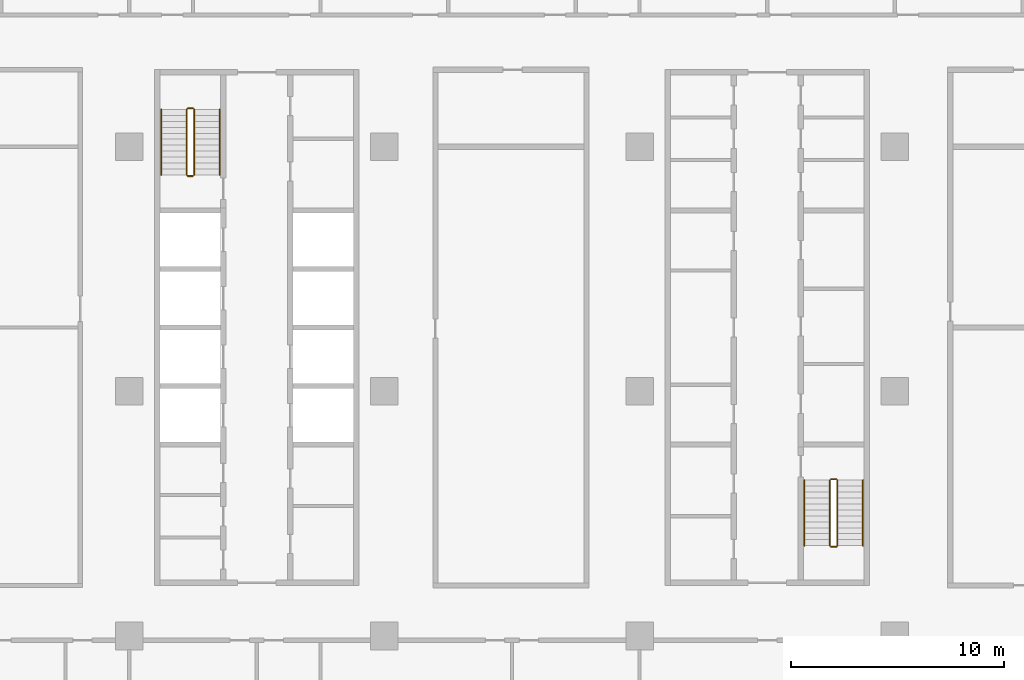
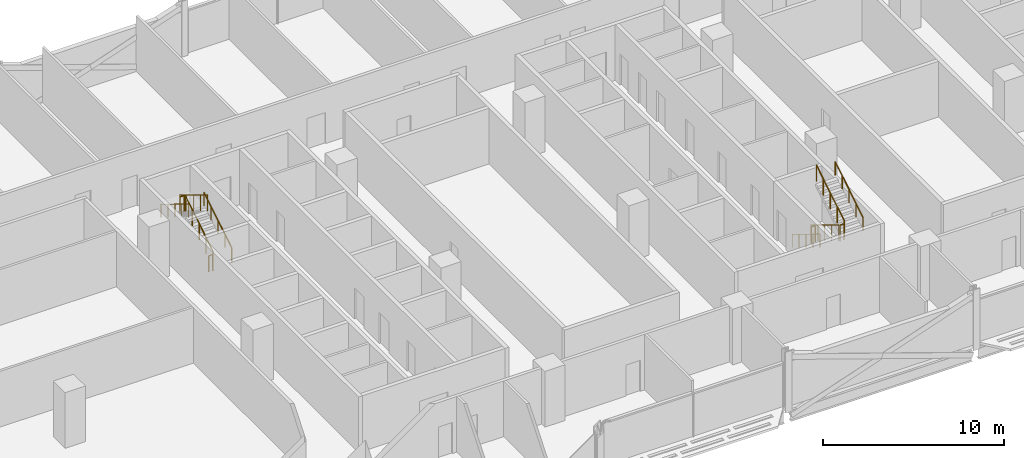
# One storey, part 26 of 29: 12 railings.
"""IFC4 building model written with IfcOpenShell, lengths in metres."""

from ifc_helpers import new_model, si_unit, direction, frame, origin, origin_2d, place, context, subcontext, project, spatial, circle, extrude, material, type_object, element, save


model = new_model("IFC4")

# Units and contexts
model_context = context("Model", 3, precision=1e-05, world=origin(), true_north=direction((0.0, 1.0)))
body_context = subcontext(model_context, "Body", "Model", "MODEL_VIEW")
ifc_project = project(units=[si_unit("LENGTHUNIT", "METRE"), si_unit("AREAUNIT", "SQUARE_METRE"), si_unit("VOLUMEUNIT", "CUBIC_METRE"), si_unit("PLANEANGLEUNIT", "RADIAN"), si_unit("MASSUNIT", "GRAM", prefix="KILO")], contexts=[model_context])

# Site, building, storey
site_placement = place(None, origin())
site = spatial("IfcSite", under=ifc_project, at=site_placement, CompositionType="ELEMENT")
building_placement = place(site_placement, origin())
building = spatial("IfcBuilding", under=site, at=building_placement, Name="Mahtab Terrace Research Tower", CompositionType="ELEMENT")
storey_placement = place(building_placement, frame((0.0, 0.0, 142.5)))
storey = spatial("IfcBuildingStorey", under=building, at=storey_placement, Name="L33", CompositionType="ELEMENT", Elevation=142.5)

# Railings
ifc_material = material(Name="Stainless steel AISI 304", Category="steel")
railing_type_1 = type_object("IfcRailingType", Name="Stair guard 1100", PredefinedType="GUARDRAIL", material=ifc_material)
railing_1_placement = place(storey_placement, frame((-26.949951171875, 10.175048828125, 0.1708984375)))
element("IfcRailing", 1, at=railing_1_placement, inside=storey, type_object=railing_type_1, Name="L33 ST1 stair guard 1", PredefinedType="GUARDRAIL", context=body_context, shape_type="SweptSolid", body=[
    extrude(circle(Radius=0.02392578125, at=origin_2d()), frame((0.0, 0.0, 1.076171875), z_axis=(0.0, 0.853647949592, 0.520850437417), x_axis=(-1.0, 0.0, 0.0)), (0.0, 0.0, 1.0), 3.60791015625),
    extrude(circle(Radius=0.02099609375, at=origin_2d()), origin(), (0.0, 0.0, 1.0), 1.052001953125),
    extrude(circle(Radius=0.02099609375, at=origin_2d()), frame((0.0, 0.77001953125, 0.4697265625)), (0.0, 0.0, 1.0), 1.052001953125),
    extrude(circle(Radius=0.02099609375, at=origin_2d()), frame((0.0, 1.5400390625, 0.939453125)), (0.0, 0.0, 1.0), 1.052001953125),
    extrude(circle(Radius=0.02099609375, at=origin_2d()), frame((0.0, 2.309814453125, 1.409423828125)), (0.0, 0.0, 1.0), 1.052001953125),
    extrude(circle(Radius=0.02099609375, at=origin_2d()), frame((0.0, 3.079833984375, 1.879150390625)), (0.0, 0.0, 1.0), 1.052001953125),
])
railing_2_placement = place(storey_placement, frame((-27.0, 13.304931640625, 2.050048828125)))
element("IfcRailing", 2, at=railing_2_placement, inside=storey, type_object=railing_type_1, Name="L33 ST1 stair guard 2", PredefinedType="GUARDRAIL", context=body_context, shape_type="SweptSolid", body=[
    extrude(circle(Radius=0.02392578125, at=origin_2d()), frame((0.0, 0.0, 1.076171875), z_axis=(-1.0, 0.0, 0.0), x_axis=(0.0, -1.0, 0.0)), (0.0, 0.0, 1.0), 0.25),
    extrude(circle(Radius=0.02099609375, at=origin_2d()), origin(), (0.0, 0.0, 1.0), 1.052001953125),
    extrude(circle(Radius=0.02099609375, at=origin_2d()), frame((-0.25, 0.0, 0.0)), (0.0, 0.0, 1.0), 1.052001953125),
])
railing_3_placement = place(storey_placement, frame((-27.300048828125, 13.2548828125, 2.220947265625)))
element("IfcRailing", 3, at=railing_3_placement, inside=storey, type_object=railing_type_1, Name="L33 ST1 stair guard 3", PredefinedType="GUARDRAIL", context=body_context, shape_type="SweptSolid", body=[
    extrude(circle(Radius=0.02392578125, at=origin_2d()), frame((0.0, 0.0, 1.076171875), z_axis=(0.0, -0.853647949592, 0.520850437417), x_axis=(1.0, 0.0, 0.0)), (0.0, 0.0, 1.0), 3.60791015625),
    extrude(circle(Radius=0.02099609375, at=origin_2d()), origin(), (0.0, 0.0, 1.0), 1.052001953125),
    extrude(circle(Radius=0.02099609375, at=origin_2d()), frame((0.0, -0.77001953125, 0.4697265625)), (0.0, 0.0, 1.0), 1.052001953125),
    extrude(circle(Radius=0.02099609375, at=origin_2d()), frame((0.0, -1.5400390625, 0.939453125)), (0.0, 0.0, 1.0), 1.052001953125),
    extrude(circle(Radius=0.02099609375, at=origin_2d()), frame((0.0, -2.309814453125, 1.409423828125)), (0.0, 0.0, 1.0), 1.052001953125),
    extrude(circle(Radius=0.02099609375, at=origin_2d()), frame((0.0, -3.079833984375, 1.879150390625)), (0.0, 0.0, 1.0), 1.052001953125),
])
railing_4_placement = place(storey_placement, frame((-27.0, 10.125, 0.0)))
element("IfcRailing", 4, at=railing_4_placement, inside=storey, type_object=railing_type_1, Name="L33 ST1 stair guard 4", PredefinedType="GUARDRAIL", context=body_context, shape_type="SweptSolid", body=[
    extrude(circle(Radius=0.02392578125, at=origin_2d()), frame((0.0, 0.0, 1.076171875), z_axis=(-1.0, 0.0, 0.0), x_axis=(0.0, -1.0, 0.0)), (0.0, 0.0, 1.0), 0.25),
    extrude(circle(Radius=0.02099609375, at=origin_2d()), origin(), (0.0, 0.0, 1.0), 1.052001953125),
    extrude(circle(Radius=0.02099609375, at=origin_2d()), frame((-0.25, 0.0, 0.0)), (0.0, 0.0, 1.0), 1.052001953125),
])
railing_5_placement = place(storey_placement, frame((2.949951171875, -4.175048828125, 0.1708984375)))
element("IfcRailing", 5, at=railing_5_placement, inside=storey, type_object=railing_type_1, Name="L33 ST2 stair guard 1", PredefinedType="GUARDRAIL", context=body_context, shape_type="SweptSolid", body=[
    extrude(circle(Radius=0.02392578125, at=origin_2d()), frame((0.0, 0.0, 1.076171875), z_axis=(0.0, -0.853647949592, 0.520850437417), x_axis=(1.0, 0.0, 0.0)), (0.0, 0.0, 1.0), 3.60791015625),
    extrude(circle(Radius=0.02099609375, at=origin_2d()), origin(), (0.0, 0.0, 1.0), 1.052001953125),
    extrude(circle(Radius=0.02099609375, at=origin_2d()), frame((0.0, -0.77001953125, 0.4697265625)), (0.0, 0.0, 1.0), 1.052001953125),
    extrude(circle(Radius=0.02099609375, at=origin_2d()), frame((0.0, -1.5400390625, 0.939453125)), (0.0, 0.0, 1.0), 1.052001953125),
    extrude(circle(Radius=0.02099609375, at=origin_2d()), frame((0.0, -2.309814453125, 1.409423828125)), (0.0, 0.0, 1.0), 1.052001953125),
    extrude(circle(Radius=0.02099609375, at=origin_2d()), frame((0.0, -3.079833984375, 1.879150390625)), (0.0, 0.0, 1.0), 1.052001953125),
])
railing_6_placement = place(storey_placement, frame((3.0, -7.304931640625, 2.050048828125)))
element("IfcRailing", 6, at=railing_6_placement, inside=storey, type_object=railing_type_1, Name="L33 ST2 stair guard 2", PredefinedType="GUARDRAIL", context=body_context, shape_type="SweptSolid", body=[
    extrude(circle(Radius=0.02392578125, at=origin_2d()), frame((0.0, 0.0, 1.076171875), z_axis=(1.0, 0.0, 0.0), x_axis=(0.0, 1.0, 0.0)), (0.0, 0.0, 1.0), 0.25),
    extrude(circle(Radius=0.02099609375, at=origin_2d()), origin(), (0.0, 0.0, 1.0), 1.052001953125),
    extrude(circle(Radius=0.02099609375, at=origin_2d()), frame((0.25, 0.0, 0.0)), (0.0, 0.0, 1.0), 1.052001953125),
])
railing_7_placement = place(storey_placement, frame((3.300048828125, -7.2548828125, 2.220947265625)))
element("IfcRailing", 7, at=railing_7_placement, inside=storey, type_object=railing_type_1, Name="L33 ST2 stair guard 3", PredefinedType="GUARDRAIL", context=body_context, shape_type="SweptSolid", body=[
    extrude(circle(Radius=0.02392578125, at=origin_2d()), frame((0.0, 0.0, 1.076171875), z_axis=(0.0, 0.853647949592, 0.520850437417), x_axis=(-1.0, 0.0, 0.0)), (0.0, 0.0, 1.0), 3.60791015625),
    extrude(circle(Radius=0.02099609375, at=origin_2d()), origin(), (0.0, 0.0, 1.0), 1.052001953125),
    extrude(circle(Radius=0.02099609375, at=origin_2d()), frame((0.0, 0.77001953125, 0.4697265625)), (0.0, 0.0, 1.0), 1.052001953125),
    extrude(circle(Radius=0.02099609375, at=origin_2d()), frame((0.0, 1.5400390625, 0.939453125)), (0.0, 0.0, 1.0), 1.052001953125),
    extrude(circle(Radius=0.02099609375, at=origin_2d()), frame((0.0, 2.309814453125, 1.409423828125)), (0.0, 0.0, 1.0), 1.052001953125),
    extrude(circle(Radius=0.02099609375, at=origin_2d()), frame((0.0, 3.079833984375, 1.879150390625)), (0.0, 0.0, 1.0), 1.052001953125),
])
railing_8_placement = place(storey_placement, frame((3.0, -4.125, 0.0)))
element("IfcRailing", 8, at=railing_8_placement, inside=storey, type_object=railing_type_1, Name="L33 ST2 stair guard 4", PredefinedType="GUARDRAIL", context=body_context, shape_type="SweptSolid", body=[
    extrude(circle(Radius=0.02392578125, at=origin_2d()), frame((0.0, 0.0, 1.076171875), z_axis=(1.0, 0.0, 0.0), x_axis=(0.0, 1.0, 0.0)), (0.0, 0.0, 1.0), 0.25),
    extrude(circle(Radius=0.02099609375, at=origin_2d()), origin(), (0.0, 0.0, 1.0), 1.052001953125),
    extrude(circle(Radius=0.02099609375, at=origin_2d()), frame((0.25, 0.0, 0.0)), (0.0, 0.0, 1.0), 1.052001953125),
])
railing_type_2 = type_object("IfcRailingType", Name="Stair handrail 900", PredefinedType="HANDRAIL", material=ifc_material)
railing_9_placement = place(storey_placement, frame((-25.75, 10.175048828125, 0.1708984375)))
element("IfcRailing", 9, at=railing_9_placement, inside=storey, type_object=railing_type_2, Name="L33 ST1 stair handrail 1", PredefinedType="HANDRAIL", context=body_context, shape_type="SweptSolid", body=[
    extrude(circle(Radius=0.02392578125, at=origin_2d()), frame((0.0, 0.0, 0.8759765625), z_axis=(0.0, 0.853647949592, 0.520850437417), x_axis=(-1.0, 0.0, 0.0)), (0.0, 0.0, 1.0), 3.60791015625),
    extrude(circle(Radius=0.02099609375, at=origin_2d()), origin(), (0.0, 0.0, 1.0), 0.851806640625),
    extrude(circle(Radius=0.02099609375, at=origin_2d()), frame((0.0, 0.77001953125, 0.4697265625)), (0.0, 0.0, 1.0), 0.851806640625),
    extrude(circle(Radius=0.02099609375, at=origin_2d()), frame((0.0, 1.5400390625, 0.939453125)), (0.0, 0.0, 1.0), 0.851806640625),
    extrude(circle(Radius=0.02099609375, at=origin_2d()), frame((0.0, 2.309814453125, 1.409423828125)), (0.0, 0.0, 1.0), 0.851806640625),
    extrude(circle(Radius=0.02099609375, at=origin_2d()), frame((0.0, 3.079833984375, 1.879150390625)), (0.0, 0.0, 1.0), 0.851806640625),
])
for number, where, name in (
    (10, (-28.5, 13.2548828125, 2.220947265625), "L33 ST1 stair handrail 2"),
    (11, (1.75, -4.175048828125, 0.1708984375), "L33 ST2 stair handrail 1"),
):
    element("IfcRailing", number, at=place(storey_placement, frame(where)), inside=storey, type_object=railing_type_2, Name=name, PredefinedType="HANDRAIL", context=body_context, shape_type="SweptSolid", body=[
        extrude(circle(Radius=0.02392578125, at=origin_2d()), frame((0.0, 0.0, 0.8759765625), z_axis=(0.0, -0.853647949592, 0.520850437417), x_axis=(1.0, 0.0, 0.0)), (0.0, 0.0, 1.0), 3.60791015625),
        extrude(circle(Radius=0.02099609375, at=origin_2d()), origin(), (0.0, 0.0, 1.0), 0.851806640625),
        extrude(circle(Radius=0.02099609375, at=origin_2d()), frame((0.0, -0.77001953125, 0.4697265625)), (0.0, 0.0, 1.0), 0.851806640625),
        extrude(circle(Radius=0.02099609375, at=origin_2d()), frame((0.0, -1.5400390625, 0.939453125)), (0.0, 0.0, 1.0), 0.851806640625),
        extrude(circle(Radius=0.02099609375, at=origin_2d()), frame((0.0, -2.309814453125, 1.409423828125)), (0.0, 0.0, 1.0), 0.851806640625),
        extrude(circle(Radius=0.02099609375, at=origin_2d()), frame((0.0, -3.079833984375, 1.879150390625)), (0.0, 0.0, 1.0), 0.851806640625),
    ])
railing_10_placement = place(storey_placement, frame((4.5, -7.2548828125, 2.220947265625)))
element("IfcRailing", 12, at=railing_10_placement, inside=storey, type_object=railing_type_2, Name="L33 ST2 stair handrail 2", PredefinedType="HANDRAIL", context=body_context, shape_type="SweptSolid", body=[
    extrude(circle(Radius=0.02392578125, at=origin_2d()), frame((0.0, 0.0, 0.8759765625), z_axis=(0.0, 0.853647949592, 0.520850437417), x_axis=(-1.0, 0.0, 0.0)), (0.0, 0.0, 1.0), 3.60791015625),
    extrude(circle(Radius=0.02099609375, at=origin_2d()), origin(), (0.0, 0.0, 1.0), 0.851806640625),
    extrude(circle(Radius=0.02099609375, at=origin_2d()), frame((0.0, 0.77001953125, 0.4697265625)), (0.0, 0.0, 1.0), 0.851806640625),
    extrude(circle(Radius=0.02099609375, at=origin_2d()), frame((0.0, 1.5400390625, 0.939453125)), (0.0, 0.0, 1.0), 0.851806640625),
    extrude(circle(Radius=0.02099609375, at=origin_2d()), frame((0.0, 2.309814453125, 1.409423828125)), (0.0, 0.0, 1.0), 0.851806640625),
    extrude(circle(Radius=0.02099609375, at=origin_2d()), frame((0.0, 3.079833984375, 1.879150390625)), (0.0, 0.0, 1.0), 0.851806640625),
])

save(model, "model.ifc")
